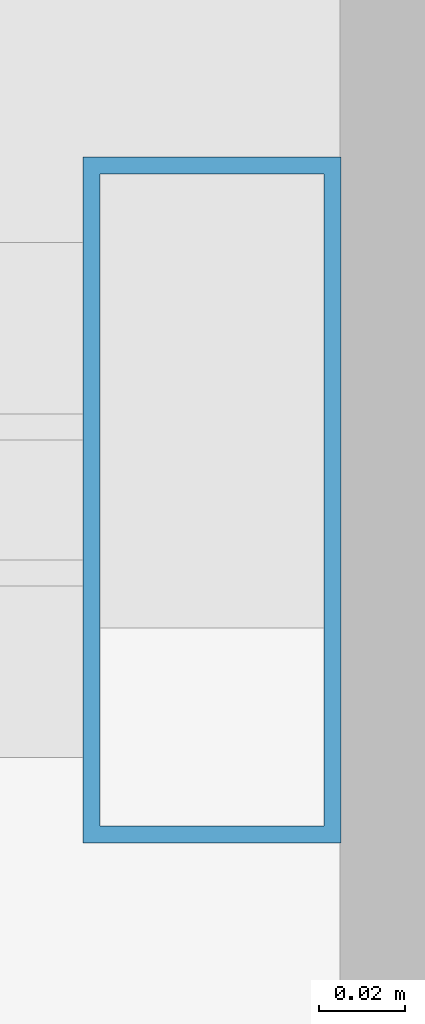
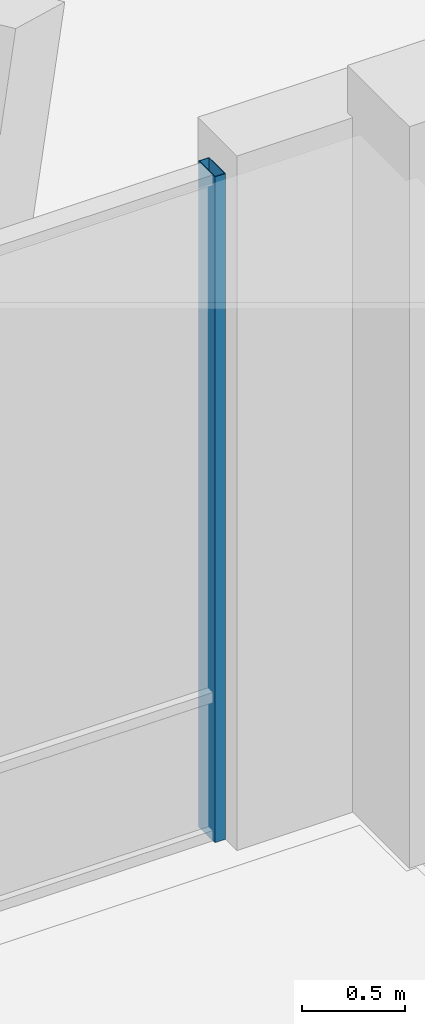
# One storey, part 33 of 233: 1 member, 1 element without a shape of its own.
"""IFC4 building model written with IfcOpenShell, lengths in metres."""

from ifc_helpers import new_model, si_unit, direction, frame, origin, origin_2d, place, context, subcontext, project, spatial, hollow_rectangle, extrude, material, material_profile, profile_set, type_object, element, aggregate, save


model = new_model("IFC4")

# Units and contexts
model_context = context("Model", 3, precision=1e-05, world=origin(), true_north=direction((0.0, 1.0)))
body_context = subcontext(model_context, "Body", "Model", "MODEL_VIEW")
ifc_project = project(units=[si_unit("LENGTHUNIT", "METRE"), si_unit("AREAUNIT", "SQUARE_METRE"), si_unit("VOLUMEUNIT", "CUBIC_METRE"), si_unit("PLANEANGLEUNIT", "RADIAN"), si_unit("MASSUNIT", "GRAM", prefix="KILO")], contexts=[model_context])

# Site, building, storey
site_placement = place(None, origin())
site = spatial("IfcSite", under=ifc_project, at=site_placement, CompositionType="ELEMENT")
building_placement = place(site_placement, origin())
building = spatial("IfcBuilding", under=site, at=building_placement, Name="Zavelmont Quarter", CompositionType="ELEMENT")
storey_placement = place(building_placement, origin())
storey = spatial("IfcBuildingStorey", under=building, at=storey_placement, Name="L00", CompositionType="ELEMENT", Elevation=0.0)

# Curtain wall, member
ifc_material_1 = material(Name="Thermally broken aluminium and double low-E safety glazing", Category="aluminium")
curtain_wall_type = type_object("IfcCurtainWallType", Name="CW-500X395", PredefinedType="NOTDEFINED", material=ifc_material_1)
curtain_wall_placement = place(storey_placement, origin())
curtain_wall = element("IfcCurtainWall", 1, at=curtain_wall_placement, inside=storey, type_object=curtain_wall_type, Name="L00 unitised curtain wall CW-500X395", PredefinedType="NOTDEFINED")
ifc_material_2 = material(Name="Powder-coated aluminium EN AW-6063-T6", Category="aluminium")
ifc_material_profile = material_profile(ifc_material_2, hollow_rectangle(XDim=0.06005859375, YDim=0.159912109375, WallThickness=0.00390625, at=origin_2d()), Name="CWM60X160")
ifc_profile_set = profile_set([ifc_material_profile], Name="Powder-coated aluminium EN AW-6063-T6")
member_type = type_object("IfcMemberType", Name="CWM01", PredefinedType="MULLION", material=ifc_profile_set)
member_placement = place(storey_placement, frame((26.6201171875, 18.39990234375, 0.0), z_axis=(0.0, 0.0, 1.0), x_axis=(1.0, 0.0, 0.0)))
member = element("IfcMember", 2, at=member_placement, type_object=member_type, Name="CW-500X395 mullion 4", PredefinedType="MULLION", context=body_context, shape_type="SweptSolid", body=[
    extrude(hollow_rectangle(XDim=0.06005859375, YDim=0.159912109375, WallThickness=0.00390625, at=origin_2d()), origin(), (0.0, 0.0, 1.0), 3.949951171875),
])
aggregate(curtain_wall, [member])

save(model, "model.ifc")
